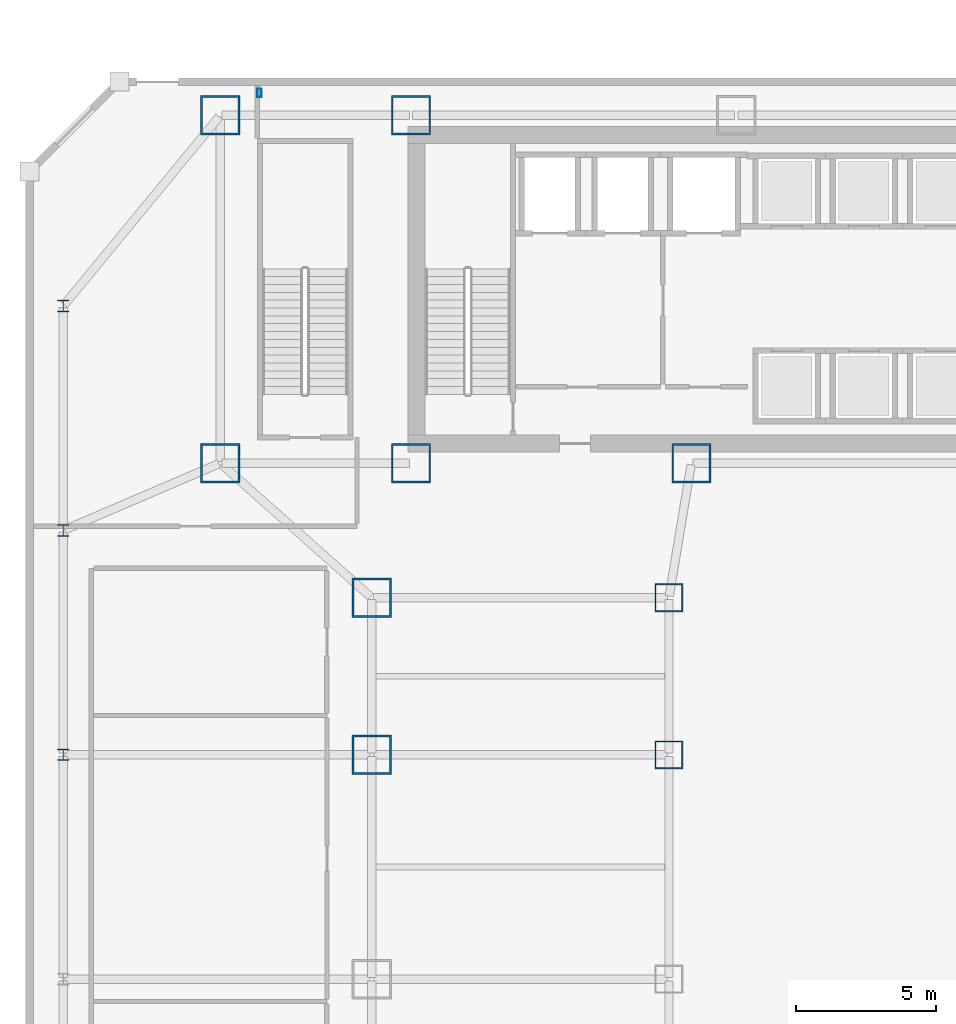
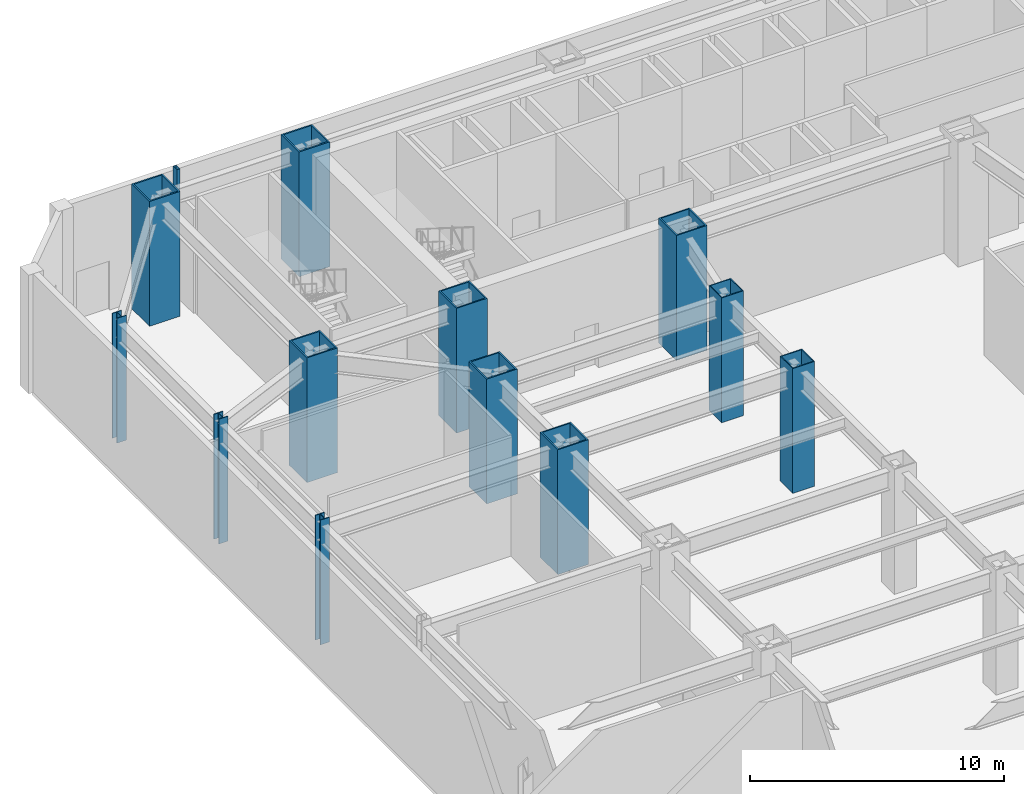
# One storey, part 3 of 23: 13 columns.
"""IFC4 building model written with IfcOpenShell, lengths in metres."""

from ifc_helpers import new_model, si_unit, direction, frame, origin, origin_2d, place, context, subcontext, project, spatial, hollow_rectangle, i_section, extrude, material, material_profile, profile_set, type_object, element, save


model = new_model("IFC4")

# Units and contexts
model_context = context("Model", 3, precision=1e-05, world=origin(), true_north=direction((0.0, 1.0)))
body_context = subcontext(model_context, "Body", "Model", "MODEL_VIEW")
ifc_project = project(units=[si_unit("LENGTHUNIT", "METRE"), si_unit("AREAUNIT", "SQUARE_METRE"), si_unit("VOLUMEUNIT", "CUBIC_METRE"), si_unit("PLANEANGLEUNIT", "RADIAN"), si_unit("MASSUNIT", "GRAM", prefix="KILO")], contexts=[model_context])

# Site, building, storey
site_placement = place(None, origin())
site = spatial("IfcSite", under=ifc_project, at=site_placement, CompositionType="ELEMENT")
building_placement = place(site_placement, origin())
building = spatial("IfcBuilding", under=site, at=building_placement, Name="Saevonmaru Cultural Tower", CompositionType="ELEMENT")
storey_placement = place(building_placement, origin())
storey = spatial("IfcBuildingStorey", under=building, at=storey_placement, Name="L00", CompositionType="ELEMENT", Elevation=0.0)

# Columns
ifc_material_1 = material(Name="Steel SM420", Category="steel")
ifc_material_profile_1 = material_profile(ifc_material_1, hollow_rectangle(XDim=1.0, YDim=1.0, WallThickness=0.044921875, at=origin_2d()), Name="BOX-1000x1000x45")
ifc_profile_set_1 = profile_set([ifc_material_profile_1], Name="Steel SM420")
column_type_1 = type_object("IfcColumnType", Name="COL-BOX-1000", PredefinedType="COLUMN", material=ifc_profile_set_1)
for number, where, z_axis, x_axis, name in (
    (1, (22.800048828125, 32.0, 0.0), (0.0, 0.0, 1.0), (1.0, 0.0, 0.0), "L00 Column PC-W2-E"),
    (2, (22.800048828125, 37.60009765625, 0.0), (0.0, 0.0, 1.0), (1.0, 0.0, 0.0), "L00 Column PC-W2-F"),
):
    element("IfcColumn", number, at=place(storey_placement, frame(where, z_axis=z_axis, x_axis=x_axis)), inside=storey, type_object=column_type_1, Name=name, PredefinedType="COLUMN", context=body_context, shape_type="SweptSolid", body=[
        extrude(hollow_rectangle(XDim=1.0, YDim=1.0, WallThickness=0.044921875, at=origin_2d()), origin(), (0.0, 0.0, 1.0), 6.0),
    ])
ifc_material_2 = material(Name="Steel HSA600 (600 MPa)", Category="steel")
ifc_material_profile_2 = material_profile(ifc_material_2, hollow_rectangle(XDim=1.39990234375, YDim=1.39990234375, WallThickness=0.06494140625, at=origin_2d()), Name="BOX-1400x1400x65")
ifc_profile_set_2 = profile_set([ifc_material_profile_2], Name="Steel HSA600 (600 MPa)")
column_type_2 = type_object("IfcColumnType", Name="COL-BOX-1400", PredefinedType="COLUMN", material=ifc_profile_set_2)
for number, where, z_axis, x_axis, name in (
    (3, (6.800048828125, 54.800048828125, 0.0), (0.0, 0.0, 1.0), (1.0, 0.0, 0.0), "L00 Column TC-N1N"),
    (4, (13.60009765625, 54.800048828125, 0.0), (0.0, 0.0, 1.0), (1.0, 0.0, 0.0), "L00 Column TC-N2N"),
    (5, (6.800048828125, 42.39990234375, 0.0), (0.0, 0.0, 1.0), (1.0, 0.0, 0.0), "L00 Column TC-S1C"),
    (6, (13.60009765625, 42.39990234375, 0.0), (0.0, 0.0, 1.0), (1.0, 0.0, 0.0), "L00 Column TC-S2C"),
    (7, (23.60009765625, 42.39990234375, 0.0), (0.0, 0.0, 1.0), (1.0, 0.0, 0.0), "L00 Column TC-S3C"),
    (8, (12.199951171875, 32.0, 0.0), (0.0, 0.0, 1.0), (1.0, 0.0, 0.0), "L00 Column PC-W1-E"),
    (9, (12.199951171875, 37.60009765625, 0.0), (0.0, 0.0, 1.0), (1.0, 0.0, 0.0), "L00 Column PC-W1-F"),
):
    element("IfcColumn", number, at=place(storey_placement, frame(where, z_axis=z_axis, x_axis=x_axis)), inside=storey, type_object=column_type_2, Name=name, PredefinedType="COLUMN", context=body_context, shape_type="SweptSolid", body=[
        extrude(hollow_rectangle(XDim=1.39990234375, YDim=1.39990234375, WallThickness=0.06494140625, at=origin_2d()), origin(), (0.0, 0.0, 1.0), 6.0),
    ])
ifc_material_profile_3 = material_profile(ifc_material_1, i_section(OverallWidth=0.419921875, OverallDepth=0.419921875, WebThickness=0.02001953125, FlangeThickness=0.034912109375, FilletRadius=0.02197265625, at=origin_2d()), Name="H-428x407x20x35")
ifc_profile_set_3 = profile_set([ifc_material_profile_3], Name="Steel SM420")
column_type_3 = type_object("IfcColumnType", Name="COL-H-428", PredefinedType="COLUMN", material=ifc_profile_set_3)
for number, where, z_axis, x_axis, name in (
    (10, (1.199951171875, 32.0, 0.0), (0.0, 0.0, 1.0), (1.0, 0.0, 0.0), "L00 Column PC-PW-E"),
    (11, (1.199951171875, 40.0, 0.0), (0.0, 0.0, 1.0), (1.0, 0.0, 0.0), "L00 Column PC-PW-F"),
    (12, (1.199951171875, 48.0, 0.0), (0.0, 0.0, 1.0), (1.0, 0.0, 0.0), "L00 Column PC-PW-G"),
):
    element("IfcColumn", number, at=place(storey_placement, frame(where, z_axis=z_axis, x_axis=x_axis)), inside=storey, type_object=column_type_3, Name=name, PredefinedType="COLUMN", context=body_context, shape_type="SweptSolid", body=[
        extrude(i_section(OverallWidth=0.419921875, OverallDepth=0.419921875, WebThickness=0.02001953125, FlangeThickness=0.034912109375, FilletRadius=0.02197265625, at=origin_2d()), origin(), (0.0, 0.0, 1.0), 6.0),
    ])
ifc_material_3 = material(Name="Steel SM355", Category="steel")
ifc_material_profile_4 = material_profile(ifc_material_3, hollow_rectangle(XDim=0.14990234375, YDim=0.300048828125, WallThickness=0.010009765625, at=origin_2d()), Name="RHS-300x150x10")
ifc_profile_set_4 = profile_set([ifc_material_profile_4], Name="Steel SM355")
column_type_4 = type_object("IfcColumnType", Name="PIL-RHS-300", PredefinedType="PILASTER", material=ifc_profile_set_4)
column_placement = place(storey_placement, frame((8.199951171875, 55.60009765625, 0.0), z_axis=(0.0, 0.0, 1.0), x_axis=(1.0, 0.0, 0.0)))
element("IfcColumn", 13, at=column_placement, inside=storey, type_object=column_type_4, Name="L00 Art Deco Bronze-Clad Pilaster PIL-NW", PredefinedType="PILASTER", context=body_context, shape_type="SweptSolid", body=[
    extrude(hollow_rectangle(XDim=0.14990234375, YDim=0.300048828125, WallThickness=0.010009765625, at=origin_2d()), origin(), (0.0, 0.0, 1.0), 6.0),
])

save(model, "model.ifc")
